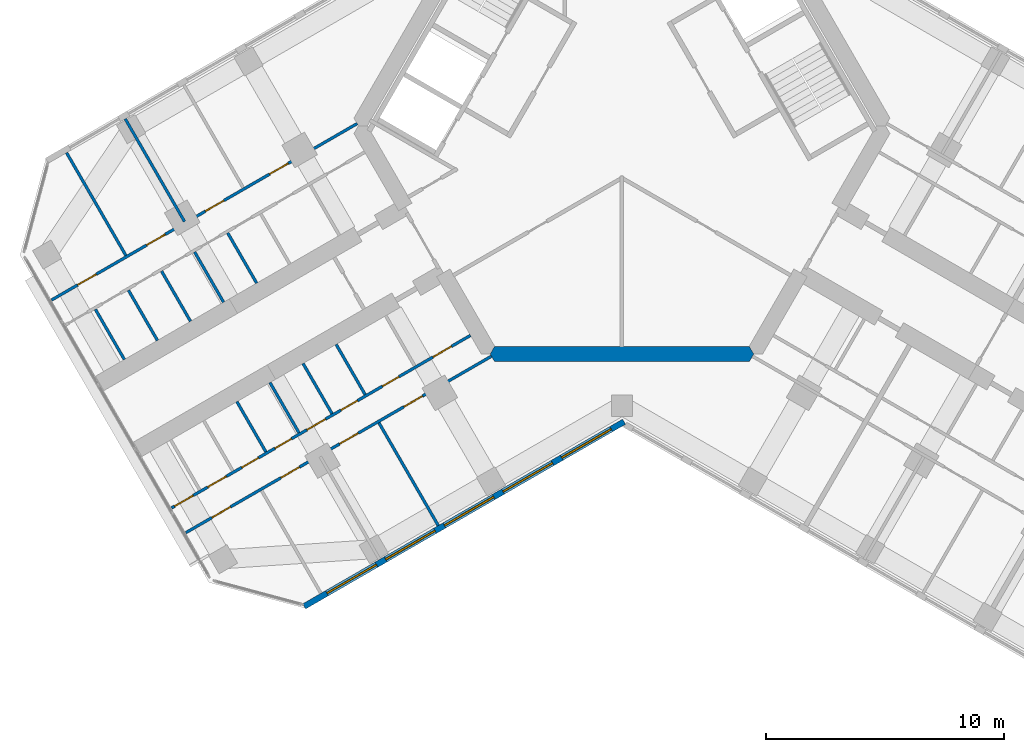
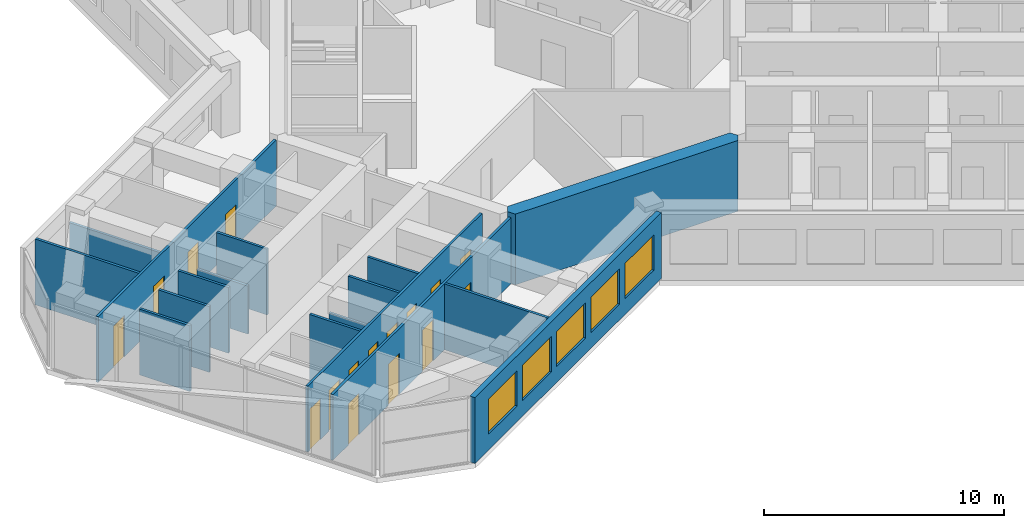
# One storey, part 8 of 16: 17 walls, 16 doors, 5 windows, 21 openings.
"""IFC4 building model written with IfcOpenShell, lengths in metres."""

from ifc_helpers import new_model, si_unit, direction, frame, frame_2d, origin, place, context, subcontext, project, spatial, polyline, rectangle, outline, extrude, material, layer, layer_set, type_object, element, fill, save


model = new_model("IFC4")

# Units and contexts
model_context = context("Model", 3, precision=1e-05, world=origin(), true_north=direction((0.0, 1.0)))
body_context = subcontext(model_context, "Body", "Model", "MODEL_VIEW")
ifc_project = project(units=[si_unit("LENGTHUNIT", "METRE"), si_unit("AREAUNIT", "SQUARE_METRE"), si_unit("VOLUMEUNIT", "CUBIC_METRE"), si_unit("PLANEANGLEUNIT", "RADIAN"), si_unit("MASSUNIT", "GRAM", prefix="KILO")], contexts=[model_context])

# Site, building, storey
site_placement = place(None, origin())
site = spatial("IfcSite", under=ifc_project, at=site_placement, CompositionType="ELEMENT")
building_placement = place(site_placement, origin())
building = spatial("IfcBuilding", under=site, at=building_placement, Name="Kosmar Iwan School Tower", CompositionType="ELEMENT")
storey_placement = place(building_placement, frame((0.0, 0.0, 215.39990234375)))
storey = spatial("IfcBuildingStorey", under=building, at=storey_placement, Name="L54", CompositionType="ELEMENT", Elevation=215.39990234375)

# Wall
ifc_material_1 = material(Name="Concrete C50/60", Category="concrete")
ifc_layer_1 = layer(ifc_material_1, 0.64990234375)
ifc_layer_set_1 = layer_set([ifc_layer_1], Name="Core wall 650")
wall_type_1 = type_object("IfcWallType", Name="Core wall 650", PredefinedType="SHEAR", material=ifc_layer_set_1)
wall_1_placement = place(storey_placement, origin())
element("IfcWall", 1, at=wall_1_placement, inside=storey, type_object=wall_type_1, Name="Core wall F270", PredefinedType="SHEAR", context=body_context, shape_type="SweptSolid", body=[
    extrude(outline(polyline([(-5.35498046875, -9.925048828125), (5.35498046875, -9.925048828125), (5.54248046875, -9.60009765625), (5.35498046875, -9.27490234375), (-5.35498046875, -9.27490234375), (-5.54248046875, -9.60009765625), (-5.35498046875, -9.925048828125)])), origin(), (0.0, 0.0, 1.0), 3.60009765625),
])

# Wall, openings, doors
ifc_material_2 = material(Name="Gypsum board on steel studs", Category="steel")
ifc_layer_2 = layer(ifc_material_2, 0.1201171875)
ifc_layer_set_2 = layer_set([ifc_layer_2], Name="Dwelling partition 120")
wall_type_2 = type_object("IfcWallType", Name="Dwelling partition 120", PredefinedType="PARTITIONING", material=ifc_layer_set_2)
wall_2_placement = place(storey_placement, frame((-6.370361328125, -8.81640625, 0.0), z_axis=(0.0, 0.0, 1.0), x_axis=(-0.866025425371, -0.499999962611, 0.0)))
wall_2 = element("IfcWall", 2, at=wall_2_placement, inside=storey, type_object=wall_type_2, Name="Partition L54-BL1-W1", PredefinedType="PARTITIONING", context=body_context, shape_type="SweptSolid", body=[
    extrude(rectangle(XDim=14.52001953125, YDim=0.1201171875, at=frame_2d((7.260009765625, 0.0))), origin(), (0.0, 0.0, 1.0), 3.35009765625),
])
opening_1_placement = place(wall_2_placement, frame((0.925048828125, 0.0, 0.0)))
opening_1 = element("IfcOpeningElement", 3, at=opening_1_placement, cuts=wall_2, Name="Opening D2", PredefinedType="OPENING", context=body_context, shape_type="SweptSolid", body=[
    extrude(rectangle(XDim=0.89990234375, YDim=2.10009765625, at=frame_2d((0.449951171875, 1.050048828125))), frame((0.0, 0.072021484375, 0.0), z_axis=(0.0, -1.0, 0.0), x_axis=(1.0, 0.0, 0.0)), (0.0, 0.0, 1.0), 0.14404296875),
])
opening_2_placement = place(wall_2_placement, frame((3.47998046875, 0.0, 0.0)))
opening_2 = element("IfcOpeningElement", 4, at=opening_2_placement, cuts=wall_2, Name="Opening D3", PredefinedType="OPENING", context=body_context, shape_type="SweptSolid", body=[
    extrude(rectangle(XDim=0.800048828125, YDim=2.10009765625, at=frame_2d((0.39990234375, 1.050048828125))), frame((0.0, 0.072021484375, 0.0), z_axis=(0.0, -1.0, 0.0), x_axis=(1.0, 0.0, 0.0)), (0.0, 0.0, 1.0), 0.14404296875),
])
opening_3_placement = place(wall_2_placement, frame((5.48828125, 0.0, 0.0)))
opening_3 = element("IfcOpeningElement", 5, at=opening_3_placement, cuts=wall_2, Name="Opening D3", PredefinedType="OPENING", context=body_context, shape_type="SweptSolid", body=[
    extrude(rectangle(XDim=0.800048828125, YDim=2.10009765625, at=frame_2d((0.39990234375, 1.050048828125))), frame((0.0, 0.072021484375, 0.0), z_axis=(0.0, -1.0, 0.0), x_axis=(1.0, 0.0, 0.0)), (0.0, 0.0, 1.0), 0.14404296875),
])
opening_4_placement = place(wall_2_placement, frame((7.044921875, 0.0, 0.0)))
opening_4 = element("IfcOpeningElement", 6, at=opening_4_placement, cuts=wall_2, Name="Opening D2", PredefinedType="OPENING", context=body_context, shape_type="SweptSolid", body=[
    extrude(rectangle(XDim=0.89990234375, YDim=2.10009765625, at=frame_2d((0.449951171875, 1.050048828125))), frame((0.0, 0.072021484375, 0.0), z_axis=(0.0, -1.0, 0.0), x_axis=(1.0, 0.0, 0.0)), (0.0, 0.0, 1.0), 0.14404296875),
])
opening_5_placement = place(wall_2_placement, frame((8.70166015625, 0.0, 0.0)))
opening_5 = element("IfcOpeningElement", 7, at=opening_5_placement, cuts=wall_2, Name="Opening D3", PredefinedType="OPENING", context=body_context, shape_type="SweptSolid", body=[
    extrude(rectangle(XDim=0.800048828125, YDim=2.10009765625, at=frame_2d((0.39990234375, 1.050048828125))), frame((0.0, 0.072021484375, 0.0), z_axis=(0.0, -1.0, 0.0), x_axis=(1.0, 0.0, 0.0)), (0.0, 0.0, 1.0), 0.14404296875),
])
opening_6_placement = place(wall_2_placement, frame((10.308349609375, 0.0, 0.0)))
opening_6 = element("IfcOpeningElement", 8, at=opening_6_placement, cuts=wall_2, Name="Opening D3", PredefinedType="OPENING", context=body_context, shape_type="SweptSolid", body=[
    extrude(rectangle(XDim=0.800048828125, YDim=2.10009765625, at=frame_2d((0.39990234375, 1.050048828125))), frame((0.0, 0.072021484375, 0.0), z_axis=(0.0, -1.0, 0.0), x_axis=(1.0, 0.0, 0.0)), (0.0, 0.0, 1.0), 0.14404296875),
])
opening_7_placement = place(wall_2_placement, frame((11.864990234375, 0.0, 0.0)))
opening_7 = element("IfcOpeningElement", 9, at=opening_7_placement, cuts=wall_2, Name="Opening D2", PredefinedType="OPENING", context=body_context, shape_type="SweptSolid", body=[
    extrude(rectangle(XDim=0.89990234375, YDim=2.10009765625, at=frame_2d((0.449951171875, 1.050048828125))), frame((0.0, 0.072021484375, 0.0), z_axis=(0.0, -1.0, 0.0), x_axis=(1.0, 0.0, 0.0)), (0.0, 0.0, 1.0), 0.14404296875),
])
opening_8_placement = place(wall_2_placement, frame((13.4716796875, 0.0, 0.0)))
opening_8 = element("IfcOpeningElement", 10, at=opening_8_placement, cuts=wall_2, Name="Opening D2", PredefinedType="OPENING", context=body_context, shape_type="SweptSolid", body=[
    extrude(rectangle(XDim=0.89990234375, YDim=2.10009765625, at=frame_2d((0.449951171875, 1.050048828125))), frame((0.0, 0.072021484375, 0.0), z_axis=(0.0, -1.0, 0.0), x_axis=(1.0, 0.0, 0.0)), (0.0, 0.0, 1.0), 0.14404296875),
])
ifc_material_3 = material(Name="Timber door in timber frame", Category="wood")
door_type_1 = type_object("IfcDoorType", Name="Internal door 900x2100", OperationType="SINGLE_SWING_LEFT", PredefinedType="DOOR", material=ifc_material_3)
door_1_placement = place(opening_1_placement, origin())
door_1 = element("IfcDoor", 11, at=door_1_placement, inside=storey, type_object=door_type_1, Name="Entrance hall door L54-BL1-S1", OperationType="SINGLE_SWING_LEFT", OverallHeight=2.10009765625, OverallWidth=0.89990234375, PredefinedType="DOOR", context=body_context, shape_type="SweptSolid", body=[
    extrude(rectangle(XDim=0.89990234375, YDim=2.10009765625, at=frame_2d((0.449951171875, 1.050048828125))), frame((0.0, 0.02490234375, 0.0), z_axis=(0.0, -1.0, 0.0), x_axis=(1.0, 0.0, 0.0)), (0.0, 0.0, 1.0), 0.050048828125),
])
fill(opening_1, door_1)
door_2_placement = place(opening_4_placement, origin())
door_2 = element("IfcDoor", 12, at=door_2_placement, inside=storey, type_object=door_type_1, Name="Pantry door L54-BL1-S4", OperationType="SINGLE_SWING_LEFT", OverallHeight=2.10009765625, OverallWidth=0.89990234375, PredefinedType="DOOR", context=body_context, shape_type="SweptSolid", body=[
    extrude(rectangle(XDim=0.89990234375, YDim=2.10009765625, at=frame_2d((0.449951171875, 1.050048828125))), frame((0.0, 0.02490234375, 0.0), z_axis=(0.0, -1.0, 0.0), x_axis=(1.0, 0.0, 0.0)), (0.0, 0.0, 1.0), 0.050048828125),
])
fill(opening_4, door_2)
door_3_placement = place(opening_7_placement, origin())
door_3 = element("IfcDoor", 13, at=door_3_placement, inside=storey, type_object=door_type_1, Name="Utility room door L54-BL1-S7", OperationType="SINGLE_SWING_RIGHT", OverallHeight=2.10009765625, OverallWidth=0.89990234375, PredefinedType="DOOR", context=body_context, shape_type="SweptSolid", body=[
    extrude(rectangle(XDim=0.89990234375, YDim=2.10009765625, at=frame_2d((0.449951171875, 1.050048828125))), frame((0.0, 0.02490234375, 0.0), z_axis=(0.0, -1.0, 0.0), x_axis=(1.0, 0.0, 0.0)), (0.0, 0.0, 1.0), 0.050048828125),
])
fill(opening_7, door_3)
door_4_placement = place(opening_8_placement, origin())
door_4 = element("IfcDoor", 14, at=door_4_placement, inside=storey, type_object=door_type_1, Name="Dressing room door L54-BL1-S8", OperationType="SINGLE_SWING_RIGHT", OverallHeight=2.10009765625, OverallWidth=0.89990234375, PredefinedType="DOOR", context=body_context, shape_type="SweptSolid", body=[
    extrude(rectangle(XDim=0.89990234375, YDim=2.10009765625, at=frame_2d((0.449951171875, 1.050048828125))), frame((0.0, 0.02490234375, 0.0), z_axis=(0.0, -1.0, 0.0), x_axis=(1.0, 0.0, 0.0)), (0.0, 0.0, 1.0), 0.050048828125),
])
fill(opening_8, door_4)
ifc_material_4 = material(Name="Timber door in timber frame", Category="wood")
door_type_2 = type_object("IfcDoorType", Name="Sanitary room door 800x2100", OperationType="SINGLE_SWING_LEFT", PredefinedType="DOOR", material=ifc_material_4)
door_5_placement = place(opening_2_placement, origin())
door_5 = element("IfcDoor", 15, at=door_5_placement, inside=storey, type_object=door_type_2, Name="Bathroom door L54-BL1-S2", OperationType="SINGLE_SWING_LEFT", OverallHeight=2.10009765625, OverallWidth=0.800048828125, PredefinedType="DOOR", context=body_context, shape_type="SweptSolid", body=[
    extrude(rectangle(XDim=0.800048828125, YDim=2.10009765625, at=frame_2d((0.39990234375, 1.050048828125))), frame((0.0, 0.02490234375, 0.0), z_axis=(0.0, -1.0, 0.0), x_axis=(1.0, 0.0, 0.0)), (0.0, 0.0, 1.0), 0.050048828125),
])
fill(opening_2, door_5)
door_6_placement = place(opening_3_placement, origin())
door_6 = element("IfcDoor", 16, at=door_6_placement, inside=storey, type_object=door_type_2, Name="Shower room door L54-BL1-S3", OperationType="SINGLE_SWING_LEFT", OverallHeight=2.10009765625, OverallWidth=0.800048828125, PredefinedType="DOOR", context=body_context, shape_type="SweptSolid", body=[
    extrude(rectangle(XDim=0.800048828125, YDim=2.10009765625, at=frame_2d((0.39990234375, 1.050048828125))), frame((0.0, 0.02490234375, 0.0), z_axis=(0.0, -1.0, 0.0), x_axis=(1.0, 0.0, 0.0)), (0.0, 0.0, 1.0), 0.050048828125),
])
fill(opening_3, door_6)
door_7_placement = place(opening_5_placement, origin())
door_7 = element("IfcDoor", 17, at=door_7_placement, inside=storey, type_object=door_type_2, Name="WC door L54-BL1-S5", OperationType="SINGLE_SWING_RIGHT", OverallHeight=2.10009765625, OverallWidth=0.800048828125, PredefinedType="DOOR", context=body_context, shape_type="SweptSolid", body=[
    extrude(rectangle(XDim=0.800048828125, YDim=2.10009765625, at=frame_2d((0.39990234375, 1.050048828125))), frame((0.0, 0.02490234375, 0.0), z_axis=(0.0, -1.0, 0.0), x_axis=(1.0, 0.0, 0.0)), (0.0, 0.0, 1.0), 0.050048828125),
])
fill(opening_5, door_7)
door_8_placement = place(opening_6_placement, origin())
door_8 = element("IfcDoor", 18, at=door_8_placement, inside=storey, type_object=door_type_2, Name="Store door L54-BL1-S6", OperationType="SINGLE_SWING_RIGHT", OverallHeight=2.10009765625, OverallWidth=0.800048828125, PredefinedType="DOOR", context=body_context, shape_type="SweptSolid", body=[
    extrude(rectangle(XDim=0.800048828125, YDim=2.10009765625, at=frame_2d((0.39990234375, 1.050048828125))), frame((0.0, 0.02490234375, 0.0), z_axis=(0.0, -1.0, 0.0), x_axis=(1.0, 0.0, 0.0)), (0.0, 0.0, 1.0), 0.050048828125),
])
fill(opening_6, door_8)

wall_3_placement = place(storey_placement, frame((-5.48876953125, -9.693115234375, 0.0), z_axis=(0.0, 0.0, 1.0), x_axis=(-0.866030301974, -0.499991515992, 0.0)))
wall_3 = element("IfcWall", 19, at=wall_3_placement, inside=storey, type_object=wall_type_2, Name="Partition L54-BL1-W2", PredefinedType="PARTITIONING", context=body_context, shape_type="SweptSolid", body=[
    extrude(rectangle(XDim=14.844970703125, YDim=0.1201171875, at=frame_2d((7.42236328125, 0.0))), origin(), (0.0, 0.0, 1.0), 3.35009765625),
])
opening_9_placement = place(wall_3_placement, frame((3.35009765625, 0.0, 0.0)))
opening_9 = element("IfcOpeningElement", 20, at=opening_9_placement, cuts=wall_3, Name="Opening D2", PredefinedType="OPENING", context=body_context, shape_type="SweptSolid", body=[
    extrude(rectangle(XDim=0.89990234375, YDim=2.10009765625, at=frame_2d((0.449951171875, 1.050048828125))), frame((0.0, 0.072021484375, 0.0), z_axis=(0.0, -1.0, 0.0), x_axis=(1.0, 0.0, 0.0)), (0.0, 0.0, 1.0), 0.14404296875),
])
opening_10_placement = place(wall_3_placement, frame((6.47509765625, 0.0, 0.0)))
opening_10 = element("IfcOpeningElement", 21, at=opening_10_placement, cuts=wall_3, Name="Opening D2", PredefinedType="OPENING", context=body_context, shape_type="SweptSolid", body=[
    extrude(rectangle(XDim=0.89990234375, YDim=2.10009765625, at=frame_2d((0.449951171875, 1.050048828125))), frame((0.0, 0.072021484375, 0.0), z_axis=(0.0, -1.0, 0.0), x_axis=(1.0, 0.0, 0.0)), (0.0, 0.0, 1.0), 0.14404296875),
])
opening_11_placement = place(wall_3_placement, frame((9.324951171875, 0.0, 0.0)))
opening_11 = element("IfcOpeningElement", 22, at=opening_11_placement, cuts=wall_3, Name="Opening D2", PredefinedType="OPENING", context=body_context, shape_type="SweptSolid", body=[
    extrude(rectangle(XDim=0.89990234375, YDim=2.10009765625, at=frame_2d((0.449951171875, 1.050048828125))), frame((0.0, 0.072021484375, 0.0), z_axis=(0.0, -1.0, 0.0), x_axis=(1.0, 0.0, 0.0)), (0.0, 0.0, 1.0), 0.14404296875),
])
opening_12_placement = place(wall_3_placement, frame((12.675048828125, 0.0, 0.0)))
opening_12 = element("IfcOpeningElement", 23, at=opening_12_placement, cuts=wall_3, Name="Opening D2", PredefinedType="OPENING", context=body_context, shape_type="SweptSolid", body=[
    extrude(rectangle(XDim=0.89990234375, YDim=2.10009765625, at=frame_2d((0.449951171875, 1.050048828125))), frame((0.0, 0.072021484375, 0.0), z_axis=(0.0, -1.0, 0.0), x_axis=(1.0, 0.0, 0.0)), (0.0, 0.0, 1.0), 0.14404296875),
])
door_9_placement = place(opening_9_placement, origin())
door_9 = element("IfcDoor", 24, at=door_9_placement, inside=storey, type_object=door_type_1, Name="Living room and kitchen door L54-BL1-F1", OperationType="SINGLE_SWING_RIGHT", OverallHeight=2.10009765625, OverallWidth=0.89990234375, PredefinedType="DOOR", context=body_context, shape_type="SweptSolid", body=[
    extrude(rectangle(XDim=0.89990234375, YDim=2.10009765625, at=frame_2d((0.449951171875, 1.050048828125))), frame((0.0, 0.02490234375, 0.0), z_axis=(0.0, -1.0, 0.0), x_axis=(1.0, 0.0, 0.0)), (0.0, 0.0, 1.0), 0.050048828125),
])
fill(opening_9, door_9)
door_10_placement = place(opening_10_placement, origin())
door_10 = element("IfcDoor", 25, at=door_10_placement, inside=storey, type_object=door_type_1, Name="Bedroom 1 door L54-BL1-F2", OperationType="SINGLE_SWING_LEFT", OverallHeight=2.10009765625, OverallWidth=0.89990234375, PredefinedType="DOOR", context=body_context, shape_type="SweptSolid", body=[
    extrude(rectangle(XDim=0.89990234375, YDim=2.10009765625, at=frame_2d((0.449951171875, 1.050048828125))), frame((0.0, 0.02490234375, 0.0), z_axis=(0.0, -1.0, 0.0), x_axis=(1.0, 0.0, 0.0)), (0.0, 0.0, 1.0), 0.050048828125),
])
fill(opening_10, door_10)
door_11_placement = place(opening_11_placement, origin())
door_11 = element("IfcDoor", 26, at=door_11_placement, inside=storey, type_object=door_type_1, Name="Bedroom 2 door L54-BL1-F3", OperationType="SINGLE_SWING_RIGHT", OverallHeight=2.10009765625, OverallWidth=0.89990234375, PredefinedType="DOOR", context=body_context, shape_type="SweptSolid", body=[
    extrude(rectangle(XDim=0.89990234375, YDim=2.10009765625, at=frame_2d((0.449951171875, 1.050048828125))), frame((0.0, 0.02490234375, 0.0), z_axis=(0.0, -1.0, 0.0), x_axis=(1.0, 0.0, 0.0)), (0.0, 0.0, 1.0), 0.050048828125),
])
fill(opening_11, door_11)
door_12_placement = place(opening_12_placement, origin())
door_12 = element("IfcDoor", 27, at=door_12_placement, inside=storey, type_object=door_type_1, Name="Bedroom 3 door L54-BL1-F4", OperationType="SINGLE_SWING_RIGHT", OverallHeight=2.10009765625, OverallWidth=0.89990234375, PredefinedType="DOOR", context=body_context, shape_type="SweptSolid", body=[
    extrude(rectangle(XDim=0.89990234375, YDim=2.10009765625, at=frame_2d((0.449951171875, 1.050048828125))), frame((0.0, 0.02490234375, 0.0), z_axis=(0.0, -1.0, 0.0), x_axis=(1.0, 0.0, 0.0)), (0.0, 0.0, 1.0), 0.050048828125),
])
fill(opening_12, door_12)

# Walls
wall_4_placement = place(storey_placement, frame((-10.221923828125, -12.4951171875, 0.0), z_axis=(0.0, 0.0, 1.0), x_axis=(0.499996339024, -0.86602751744, 0.0)))
element("IfcWall", 28, at=wall_4_placement, inside=storey, type_object=wall_type_2, Name="Partition L54-BL1-X1", PredefinedType="PARTITIONING", context=body_context, shape_type="SweptSolid", body=[
    extrude(rectangle(XDim=4.98974609375, YDim=0.1201171875, at=frame_2d((2.494873046875, 0.0))), origin(), (0.0, 0.0, 1.0), 3.35009765625),
])
for number, where, z_axis, x_axis, name in (
    (29, (-12.02392578125, -9.19384765625, 0.0), (0.0, 0.0, 1.0), (0.500002508028, -0.866023955769, 0.0), "Partition L54-BL1-Y2"),
    (30, (-13.41552734375, -9.9970703125, 0.0), (0.0, 0.0, 1.0), (0.500002508028, -0.866023955769, 0.0), "Partition L54-BL1-Y3"),
):
    element("IfcWall", number, at=place(storey_placement, frame(where, z_axis=z_axis, x_axis=x_axis)), inside=storey, type_object=wall_type_2, Name=name, PredefinedType="PARTITIONING", context=body_context, shape_type="SweptSolid", body=[
        extrude(rectangle(XDim=2.43994140625, YDim=0.1201171875, at=frame_2d((1.219970703125, 0.0))), origin(), (0.0, 0.0, 1.0), 3.35009765625),
    ])
wall_5_placement = place(storey_placement, frame((-14.806884765625, -10.80029296875, 0.0), z_axis=(0.0, 0.0, 1.0), x_axis=(0.499959183527, -0.866048967903, 0.0)))
element("IfcWall", 31, at=wall_5_placement, inside=storey, type_object=wall_type_2, Name="Partition L54-BL1-Y4", PredefinedType="PARTITIONING", context=body_context, shape_type="SweptSolid", body=[
    extrude(rectangle(XDim=2.440185546875, YDim=0.1201171875, at=frame_2d((1.22021484375, 0.0))), origin(), (0.0, 0.0, 1.0), 2.4501953125),
])
wall_6_placement = place(storey_placement, frame((-16.1982421875, -11.603759765625, 0.0), z_axis=(0.0, 0.0, 1.0), x_axis=(0.500002508028, -0.866023955769, 0.0)))
element("IfcWall", 32, at=wall_6_placement, inside=storey, type_object=wall_type_2, Name="Partition L54-BL1-Y5", PredefinedType="PARTITIONING", context=body_context, shape_type="SweptSolid", body=[
    extrude(rectangle(XDim=2.43994140625, YDim=0.1201171875, at=frame_2d((1.219970703125, 0.0))), origin(), (0.0, 0.0, 1.0), 3.35009765625),
])

# Wall, openings, doors
wall_7_placement = place(storey_placement, frame((-11.138916015625, 0.093017578125, 0.0), z_axis=(0.0, 0.0, 1.0), x_axis=(-0.866030301974, -0.499991515992, 0.0)))
wall_7 = element("IfcWall", 33, at=wall_7_placement, inside=storey, type_object=wall_type_2, Name="Partition L54-BR1-W2", PredefinedType="PARTITIONING", context=body_context, shape_type="SweptSolid", body=[
    extrude(rectangle(XDim=14.844970703125, YDim=0.1201171875, at=frame_2d((7.42236328125, 0.0))), origin(), (0.0, 0.0, 1.0), 3.35009765625),
])
opening_13_placement = place(wall_7_placement, frame((3.35009765625, 0.0, 0.0)))
opening_13 = element("IfcOpeningElement", 34, at=opening_13_placement, cuts=wall_7, Name="Opening D2", PredefinedType="OPENING", context=body_context, shape_type="SweptSolid", body=[
    extrude(rectangle(XDim=0.89990234375, YDim=2.10009765625, at=frame_2d((0.449951171875, 1.050048828125))), frame((0.0, 0.072021484375, 0.0), z_axis=(0.0, -1.0, 0.0), x_axis=(1.0, 0.0, 0.0)), (0.0, 0.0, 1.0), 0.14404296875),
])
opening_14_placement = place(wall_7_placement, frame((6.47509765625, 0.0, 0.0)))
opening_14 = element("IfcOpeningElement", 35, at=opening_14_placement, cuts=wall_7, Name="Opening D2", PredefinedType="OPENING", context=body_context, shape_type="SweptSolid", body=[
    extrude(rectangle(XDim=0.89990234375, YDim=2.10009765625, at=frame_2d((0.449951171875, 1.050048828125))), frame((0.0, 0.072021484375, 0.0), z_axis=(0.0, -1.0, 0.0), x_axis=(1.0, 0.0, 0.0)), (0.0, 0.0, 1.0), 0.14404296875),
])
opening_15_placement = place(wall_7_placement, frame((9.324951171875, 0.0, 0.0)))
opening_15 = element("IfcOpeningElement", 36, at=opening_15_placement, cuts=wall_7, Name="Opening D2", PredefinedType="OPENING", context=body_context, shape_type="SweptSolid", body=[
    extrude(rectangle(XDim=0.89990234375, YDim=2.10009765625, at=frame_2d((0.449951171875, 1.050048828125))), frame((0.0, 0.072021484375, 0.0), z_axis=(0.0, -1.0, 0.0), x_axis=(1.0, 0.0, 0.0)), (0.0, 0.0, 1.0), 0.14404296875),
])
opening_16_placement = place(wall_7_placement, frame((12.675048828125, 0.0, 0.0)))
opening_16 = element("IfcOpeningElement", 37, at=opening_16_placement, cuts=wall_7, Name="Opening D2", PredefinedType="OPENING", context=body_context, shape_type="SweptSolid", body=[
    extrude(rectangle(XDim=0.89990234375, YDim=2.10009765625, at=frame_2d((0.449951171875, 1.050048828125))), frame((0.0, 0.072021484375, 0.0), z_axis=(0.0, -1.0, 0.0), x_axis=(1.0, 0.0, 0.0)), (0.0, 0.0, 1.0), 0.14404296875),
])
door_13_placement = place(opening_13_placement, origin())
door_13 = element("IfcDoor", 38, at=door_13_placement, inside=storey, type_object=door_type_1, Name="Living room and kitchen door L54-BR1-F1", OperationType="SINGLE_SWING_LEFT", OverallHeight=2.10009765625, OverallWidth=0.89990234375, PredefinedType="DOOR", context=body_context, shape_type="SweptSolid", body=[
    extrude(rectangle(XDim=0.89990234375, YDim=2.10009765625, at=frame_2d((0.449951171875, 1.050048828125))), frame((0.0, 0.02490234375, 0.0), z_axis=(0.0, -1.0, 0.0), x_axis=(1.0, 0.0, 0.0)), (0.0, 0.0, 1.0), 0.050048828125),
])
fill(opening_13, door_13)
door_14_placement = place(opening_14_placement, origin())
door_14 = element("IfcDoor", 39, at=door_14_placement, inside=storey, type_object=door_type_1, Name="Bedroom 1 door L54-BR1-F2", OperationType="SINGLE_SWING_LEFT", OverallHeight=2.10009765625, OverallWidth=0.89990234375, PredefinedType="DOOR", context=body_context, shape_type="SweptSolid", body=[
    extrude(rectangle(XDim=0.89990234375, YDim=2.10009765625, at=frame_2d((0.449951171875, 1.050048828125))), frame((0.0, 0.02490234375, 0.0), z_axis=(0.0, -1.0, 0.0), x_axis=(1.0, 0.0, 0.0)), (0.0, 0.0, 1.0), 0.050048828125),
])
fill(opening_14, door_14)
door_15_placement = place(opening_15_placement, origin())
door_15 = element("IfcDoor", 40, at=door_15_placement, inside=storey, type_object=door_type_1, Name="Bedroom 2 door L54-BR1-F3", OperationType="SINGLE_SWING_RIGHT", OverallHeight=2.10009765625, OverallWidth=0.89990234375, PredefinedType="DOOR", context=body_context, shape_type="SweptSolid", body=[
    extrude(rectangle(XDim=0.89990234375, YDim=2.10009765625, at=frame_2d((0.449951171875, 1.050048828125))), frame((0.0, 0.02490234375, 0.0), z_axis=(0.0, -1.0, 0.0), x_axis=(1.0, 0.0, 0.0)), (0.0, 0.0, 1.0), 0.050048828125),
])
fill(opening_15, door_15)
door_16_placement = place(opening_16_placement, origin())
door_16 = element("IfcDoor", 41, at=door_16_placement, inside=storey, type_object=door_type_1, Name="Bedroom 3 door L54-BR1-F4", OperationType="SINGLE_SWING_RIGHT", OverallHeight=2.10009765625, OverallWidth=0.89990234375, PredefinedType="DOOR", context=body_context, shape_type="SweptSolid", body=[
    extrude(rectangle(XDim=0.89990234375, YDim=2.10009765625, at=frame_2d((0.449951171875, 1.050048828125))), frame((0.0, 0.02490234375, 0.0), z_axis=(0.0, -1.0, 0.0), x_axis=(1.0, 0.0, 0.0)), (0.0, 0.0, 1.0), 0.050048828125),
])
fill(opening_16, door_16)

# Walls
wall_8_placement = place(storey_placement, frame((-18.400146484375, -4.030029296875, 0.0), z_axis=(0.0, 0.0, 1.0), x_axis=(-0.500011847778, 0.866018563358, 0.0)))
element("IfcWall", 42, at=wall_8_placement, inside=storey, type_object=wall_type_2, Name="Partition L54-BR1-X2", PredefinedType="PARTITIONING", context=body_context, shape_type="SweptSolid", body=[
    extrude(rectangle(XDim=4.990234375, YDim=0.1201171875, at=frame_2d((2.4951171875, 0.0))), origin(), (0.0, 0.0, 1.0), 2.4501953125),
])
wall_9_placement = place(storey_placement, frame((-20.868408203125, -5.455078125, 0.0), z_axis=(0.0, 0.0, 1.0), x_axis=(-0.499975153383, 0.86603974851, 0.0)))
element("IfcWall", 43, at=wall_9_placement, inside=storey, type_object=wall_type_2, Name="Partition L54-BR1-X3", PredefinedType="PARTITIONING", context=body_context, shape_type="SweptSolid", body=[
    extrude(rectangle(XDim=4.989990234375, YDim=0.1201171875, at=frame_2d((2.4951171875, 0.0))), origin(), (0.0, 0.0, 1.0), 3.35009765625),
])
wall_10_placement = place(storey_placement, frame((-15.365478515625, -6.61962890625, 0.0), z_axis=(0.0, 0.0, 1.0), x_axis=(-0.500002508028, 0.866023955769, 0.0)))
element("IfcWall", 44, at=wall_10_placement, inside=storey, type_object=wall_type_2, Name="Partition L54-BR1-Y3", PredefinedType="PARTITIONING", context=body_context, shape_type="SweptSolid", body=[
    extrude(rectangle(XDim=2.43994140625, YDim=0.1201171875, at=frame_2d((1.219970703125, 0.0))), origin(), (0.0, 0.0, 1.0), 3.35009765625),
])
wall_11_placement = place(storey_placement, frame((-16.7568359375, -7.4228515625, 0.0), z_axis=(0.0, 0.0, 1.0), x_axis=(-0.500002508028, 0.866023955769, 0.0)))
element("IfcWall", 45, at=wall_11_placement, inside=storey, type_object=wall_type_2, Name="Partition L54-BR1-Y4", PredefinedType="PARTITIONING", context=body_context, shape_type="SweptSolid", body=[
    extrude(rectangle(XDim=2.43994140625, YDim=0.1201171875, at=frame_2d((1.219970703125, 0.0))), origin(), (0.0, 0.0, 1.0), 2.4501953125),
])
wall_12_placement = place(storey_placement, frame((-18.148193359375, -8.226318359375, 0.0), z_axis=(0.0, 0.0, 1.0), x_axis=(-0.500034220881, 0.866005645448, 0.0)))
element("IfcWall", 46, at=wall_12_placement, inside=storey, type_object=wall_type_2, Name="Partition L54-BR1-Y5", PredefinedType="PARTITIONING", context=body_context, shape_type="SweptSolid", body=[
    extrude(rectangle(XDim=2.440185546875, YDim=0.1201171875, at=frame_2d((1.22021484375, 0.0))), origin(), (0.0, 0.0, 1.0), 3.35009765625),
])
wall_13_placement = place(storey_placement, frame((-19.539794921875, -9.029541015625, 0.0), z_axis=(0.0, 0.0, 1.0), x_axis=(-0.500002508028, 0.866023955769, 0.0)))
element("IfcWall", 47, at=wall_13_placement, inside=storey, type_object=wall_type_2, Name="Partition L54-BR1-Y6", PredefinedType="PARTITIONING", context=body_context, shape_type="SweptSolid", body=[
    extrude(rectangle(XDim=2.43994140625, YDim=0.1201171875, at=frame_2d((1.219970703125, 0.0))), origin(), (0.0, 0.0, 1.0), 3.35009765625),
])
wall_14_placement = place(storey_placement, frame((-20.93115234375, -9.8330078125, 0.0), z_axis=(0.0, 0.0, 1.0), x_axis=(-0.499959183527, 0.866048967903, 0.0)))
element("IfcWall", 48, at=wall_14_placement, inside=storey, type_object=wall_type_2, Name="Partition L54-BR1-Y7", PredefinedType="PARTITIONING", context=body_context, shape_type="SweptSolid", body=[
    extrude(rectangle(XDim=2.440185546875, YDim=0.1201171875, at=frame_2d((1.22021484375, 0.0))), origin(), (0.0, 0.0, 1.0), 3.35009765625),
])

# Wall, openings, windows
ifc_material_5 = material(Name="Black aluminium rainscreen on insulated framing", Category="aluminium")
ifc_layer_3 = layer(ifc_material_5, 0.25)
ifc_layer_set_3 = layer_set([ifc_layer_3], Name="External wall rainscreen 250")
wall_type_3 = type_object("IfcWallType", Name="External wall rainscreen 250", PredefinedType="SOLIDWALL", material=ifc_layer_set_3)
wall_15_placement = place(storey_placement, frame((0.088134765625, -12.44873046875, 0.0), z_axis=(0.0, 0.0, 1.0), x_axis=(-0.866029894971, -0.499992220956, 0.0)))
wall_15 = element("IfcWall", 49, at=wall_15_placement, inside=storey, type_object=wall_type_3, Name="External wall BL L54", PredefinedType="SOLIDWALL", context=body_context, shape_type="SweptSolid", body=[
    extrude(rectangle(XDim=15.537353515625, YDim=0.25, at=frame_2d((7.7685546875, 0.0))), origin(), (0.0, 0.0, 1.0), 3.35009765625),
])
opening_17_placement = place(wall_15_placement, frame((0.626953125, 0.0, 0.800048828125)))
opening_17 = element("IfcOpeningElement", 50, at=opening_17_placement, cuts=wall_15, Name="Opening W5", PredefinedType="OPENING", context=body_context, shape_type="SweptSolid", body=[
    extrude(rectangle(XDim=2.39990234375, YDim=1.800048828125, at=frame_2d((1.199951171875, 0.89990234375))), frame((0.0, 0.136962890625, 0.0), z_axis=(0.0, -1.0, 0.0), x_axis=(1.0, 0.0, 0.0)), (0.0, 0.0, 1.0), 0.27392578125),
])
opening_18_placement = place(wall_15_placement, frame((3.47705078125, 0.0, 0.800048828125)))
opening_18 = element("IfcOpeningElement", 51, at=opening_18_placement, cuts=wall_15, Name="Opening W5", PredefinedType="OPENING", context=body_context, shape_type="SweptSolid", body=[
    extrude(rectangle(XDim=2.39990234375, YDim=1.800048828125, at=frame_2d((1.199951171875, 0.89990234375))), frame((0.0, 0.136962890625, 0.0), z_axis=(0.0, -1.0, 0.0), x_axis=(1.0, 0.0, 0.0)), (0.0, 0.0, 1.0), 0.27392578125),
])
opening_19_placement = place(wall_15_placement, frame((6.326904296875, 0.0, 0.800048828125)))
opening_19 = element("IfcOpeningElement", 52, at=opening_19_placement, cuts=wall_15, Name="Opening W5", PredefinedType="OPENING", context=body_context, shape_type="SweptSolid", body=[
    extrude(rectangle(XDim=2.39990234375, YDim=1.800048828125, at=frame_2d((1.199951171875, 0.89990234375))), frame((0.0, 0.136962890625, 0.0), z_axis=(0.0, -1.0, 0.0), x_axis=(1.0, 0.0, 0.0)), (0.0, 0.0, 1.0), 0.27392578125),
])
opening_20_placement = place(wall_15_placement, frame((9.177001953125, 0.0, 0.800048828125)))
opening_20 = element("IfcOpeningElement", 53, at=opening_20_placement, cuts=wall_15, Name="Opening W5", PredefinedType="OPENING", context=body_context, shape_type="SweptSolid", body=[
    extrude(rectangle(XDim=2.39990234375, YDim=1.800048828125, at=frame_2d((1.199951171875, 0.89990234375))), frame((0.0, 0.136962890625, 0.0), z_axis=(0.0, -1.0, 0.0), x_axis=(1.0, 0.0, 0.0)), (0.0, 0.0, 1.0), 0.27392578125),
])
opening_21_placement = place(wall_15_placement, frame((12.027099609375, 0.0, 0.800048828125)))
opening_21 = element("IfcOpeningElement", 54, at=opening_21_placement, cuts=wall_15, Name="Opening W5", PredefinedType="OPENING", context=body_context, shape_type="SweptSolid", body=[
    extrude(rectangle(XDim=2.39990234375, YDim=1.800048828125, at=frame_2d((1.199951171875, 0.89990234375))), frame((0.0, 0.136962890625, 0.0), z_axis=(0.0, -1.0, 0.0), x_axis=(1.0, 0.0, 0.0)), (0.0, 0.0, 1.0), 0.27392578125),
])
ifc_material_6 = material(Name="Black aluminium frame with dark triple glazing", Category="aluminium")
window_type = type_object("IfcWindowType", Name="Window 2400x1800", PartitioningType="SINGLE_PANEL", PredefinedType="WINDOW", material=ifc_material_6)
window_1_placement = place(opening_17_placement, origin())
window_1 = element("IfcWindow", 55, at=window_1_placement, inside=storey, type_object=window_type, Name="Window BL L54 -1", OverallHeight=1.800048828125, OverallWidth=2.39990234375, PartitioningType="SINGLE_PANEL", PredefinedType="WINDOW", context=body_context, shape_type="SweptSolid", body=[
    extrude(rectangle(XDim=2.39990234375, YDim=1.800048828125, at=frame_2d((1.199951171875, 0.89990234375))), frame((0.0, 0.030029296875, 0.0), z_axis=(0.0, -1.0, 0.0), x_axis=(1.0, 0.0, 0.0)), (0.0, 0.0, 1.0), 0.06005859375),
])
fill(opening_17, window_1)
window_2_placement = place(opening_18_placement, origin())
window_2 = element("IfcWindow", 56, at=window_2_placement, inside=storey, type_object=window_type, Name="Window BL L54 0", OverallHeight=1.800048828125, OverallWidth=2.39990234375, PartitioningType="SINGLE_PANEL", PredefinedType="WINDOW", context=body_context, shape_type="SweptSolid", body=[
    extrude(rectangle(XDim=2.39990234375, YDim=1.800048828125, at=frame_2d((1.199951171875, 0.89990234375))), frame((0.0, 0.030029296875, 0.0), z_axis=(0.0, -1.0, 0.0), x_axis=(1.0, 0.0, 0.0)), (0.0, 0.0, 1.0), 0.06005859375),
])
fill(opening_18, window_2)
window_3_placement = place(opening_19_placement, origin())
window_3 = element("IfcWindow", 57, at=window_3_placement, inside=storey, type_object=window_type, Name="Window BL L54 1", OverallHeight=1.800048828125, OverallWidth=2.39990234375, PartitioningType="SINGLE_PANEL", PredefinedType="WINDOW", context=body_context, shape_type="SweptSolid", body=[
    extrude(rectangle(XDim=2.39990234375, YDim=1.800048828125, at=frame_2d((1.199951171875, 0.89990234375))), frame((0.0, 0.030029296875, 0.0), z_axis=(0.0, -1.0, 0.0), x_axis=(1.0, 0.0, 0.0)), (0.0, 0.0, 1.0), 0.06005859375),
])
fill(opening_19, window_3)
window_4_placement = place(opening_20_placement, origin())
window_4 = element("IfcWindow", 58, at=window_4_placement, inside=storey, type_object=window_type, Name="Window BL L54 2", OverallHeight=1.800048828125, OverallWidth=2.39990234375, PartitioningType="SINGLE_PANEL", PredefinedType="WINDOW", context=body_context, shape_type="SweptSolid", body=[
    extrude(rectangle(XDim=2.39990234375, YDim=1.800048828125, at=frame_2d((1.199951171875, 0.89990234375))), frame((0.0, 0.030029296875, 0.0), z_axis=(0.0, -1.0, 0.0), x_axis=(1.0, 0.0, 0.0)), (0.0, 0.0, 1.0), 0.06005859375),
])
fill(opening_20, window_4)
window_5_placement = place(opening_21_placement, origin())
window_5 = element("IfcWindow", 59, at=window_5_placement, inside=storey, type_object=window_type, Name="Window BL L54 3", OverallHeight=1.800048828125, OverallWidth=2.39990234375, PartitioningType="SINGLE_PANEL", PredefinedType="WINDOW", context=body_context, shape_type="SweptSolid", body=[
    extrude(rectangle(XDim=2.39990234375, YDim=1.800048828125, at=frame_2d((1.199951171875, 0.89990234375))), frame((0.0, 0.030029296875, 0.0), z_axis=(0.0, -1.0, 0.0), x_axis=(1.0, 0.0, 0.0)), (0.0, 0.0, 1.0), 0.06005859375),
])
fill(opening_21, window_5)

save(model, "model.ifc")
